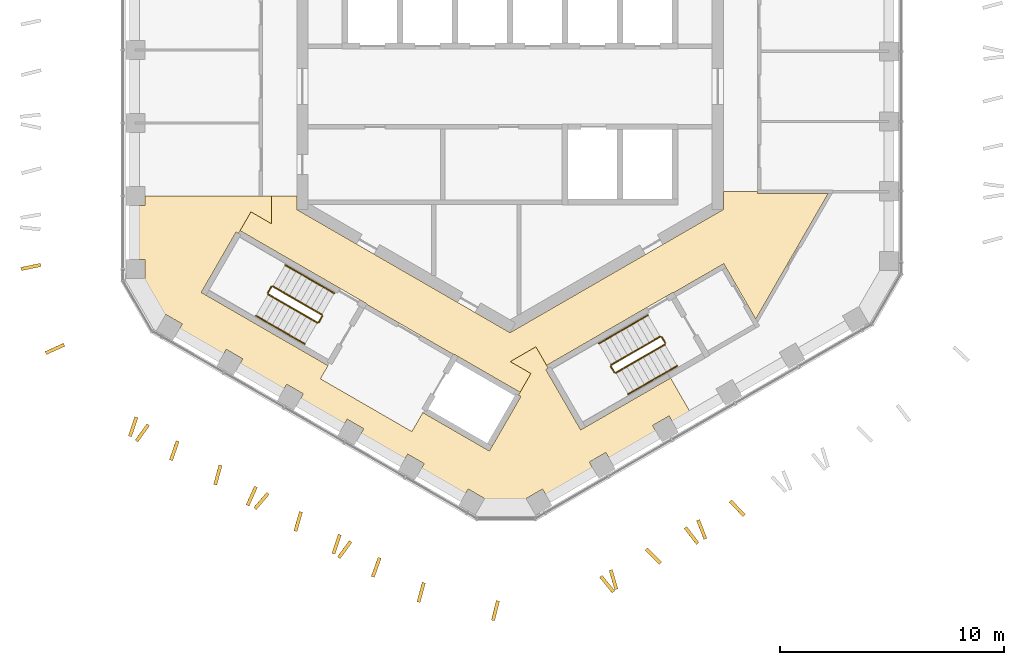
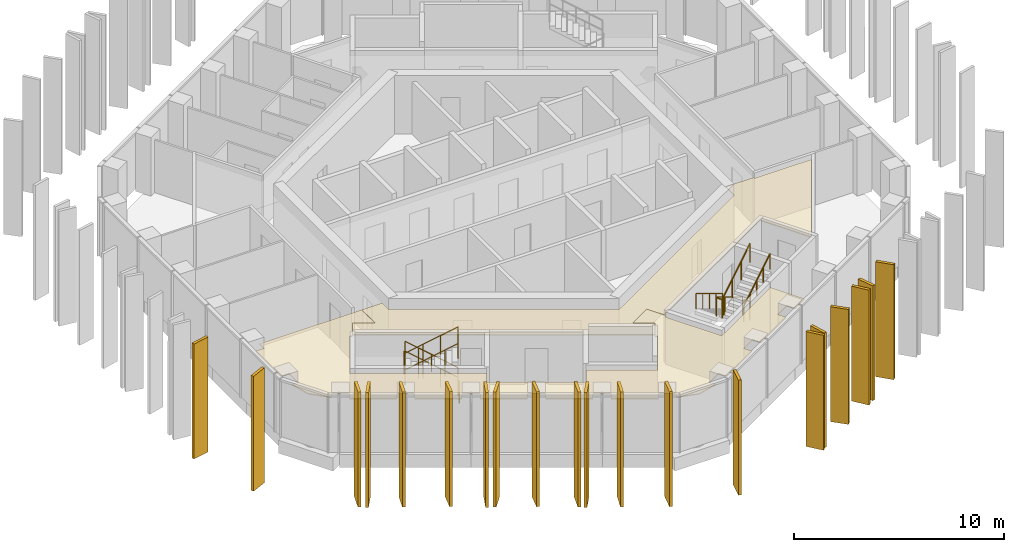
# One storey, part 16 of 18: 20 shading devices, 16 railings, 2 coverings.
"""IFC4 building model written with IfcOpenShell, lengths in metres."""

import ifcopenshell
import ifcopenshell.guid

model = None  # the IFC model being written
_history = None  # IfcOwnerHistory: only IFC2X3 demands one
_inside = {}  # id of a spatial element -> (the spatial element, [elements in it])
_under = {}  # id of a project, library or spatial element -> (it, [spatial elements below it])
_declared = {}  # id of a project -> (the project, [libraries it declares])
_typed = {}  # id of a type object -> (the type object, [elements of that type])
_made_of = {}  # id of a material, layer set ... -> (it, [elements and type objects made of it])


def new_model(schema):
    """Start an empty IFC model of exactly this schema.

    Asked for "IFC4X3", IfcOpenShell would pick the latest addendum, in which some entities
    have other attributes; the version numbers below select the first issue.
    IFC2X3 requires an IfcOwnerHistory on every rooted entity: one is made here for all.
    """
    global model, _history
    if schema == "IFC4X3":
        model = ifcopenshell.file(schema_version=(4, 3, 0, 0))
    else:
        model = ifcopenshell.file(schema=schema)
    _inside.clear()
    _under.clear()
    _declared.clear()
    _typed.clear()
    _made_of.clear()
    _history = None
    if model.schema == "IFC2X3":
        org = make("IfcOrganization", Name="unknown")
        user = make(
            "IfcPersonAndOrganization",
            ThePerson=make("IfcPerson", FamilyName="unknown"),
            TheOrganization=org,
        )
        app = make(
            "IfcApplication",
            ApplicationDeveloper=org,
            Version="unknown",
            ApplicationFullName="unknown",
            ApplicationIdentifier="unknown",
        )
        _history = make(
            "IfcOwnerHistory",
            OwningUser=user,
            OwningApplication=app,
            ChangeAction="ADDED",
            CreationDate=0,
        )
    return model


def make(cls, **values):
    """One entity of the class cls with the attributes given. An attribute that is None is left unset."""
    return model.create_entity(
        cls, **{name: value for name, value in values.items() if value is not None}
    )


def rooted(cls, **values):
    """An entity with a GlobalId (a new one), such as an element, a storey or a relation."""
    return make(cls, GlobalId=ifcopenshell.guid.new(), OwnerHistory=_history, **values)


def si_unit(unit_type, name, prefix=None):
    """IfcSIUnit, for example si_unit("LENGTHUNIT", "METRE", prefix="MILLI")."""
    return make("IfcSIUnit", UnitType=unit_type, Prefix=prefix, Name=name)


def assignment(units):
    """IfcUnitAssignment: the units of a project."""
    return None if units is None else make("IfcUnitAssignment", Units=units)


def point(xyz):
    """IfcCartesianPoint."""
    return None if xyz is None else make("IfcCartesianPoint", Coordinates=xyz)


def direction(xyz):
    """IfcDirection."""
    return None if xyz is None else make("IfcDirection", DirectionRatios=xyz)


def frame(location, z_axis=None, x_axis=None):
    """IfcAxis2Placement3D, a coordinate frame: its origin and axes. An axis left out is left unset."""
    return make(
        "IfcAxis2Placement3D",
        Location=point(location),
        Axis=direction(z_axis),
        RefDirection=direction(x_axis),
    )


def frame_2d(location, x_axis=None):
    """IfcAxis2Placement2D, a coordinate frame in the plane: its origin and x axis."""
    return make(
        "IfcAxis2Placement2D", Location=point(location), RefDirection=direction(x_axis)
    )


def origin():
    """The frame at (0, 0, 0) with its axes left unset."""
    return frame((0.0, 0.0, 0.0))


def origin_2d():
    """The frame at (0, 0) in the plane with its x axis left unset."""
    return frame_2d((0.0, 0.0))


def place(relative_to, where):
    """IfcLocalPlacement: puts the frame where relative to a parent placement (None: the world)."""
    return make(
        "IfcLocalPlacement", PlacementRelTo=relative_to, RelativePlacement=where
    )


def context(
    kind, dimensions, precision=None, world=None, true_north=None, identifier=None
):
    """IfcGeometricRepresentationContext, for example the 3D "Model" context."""
    return make(
        "IfcGeometricRepresentationContext",
        ContextIdentifier=identifier,
        ContextType=kind,
        CoordinateSpaceDimension=dimensions,
        Precision=precision,
        WorldCoordinateSystem=world,
        TrueNorth=true_north,
    )


def subcontext(parent, identifier, kind, view, scale=None):
    """IfcGeometricRepresentationSubContext, for example "Body" below "Model"."""
    return make(
        "IfcGeometricRepresentationSubContext",
        ContextIdentifier=identifier,
        ContextType=kind,
        ParentContext=parent,
        TargetScale=scale,
        TargetView=view,
    )


def project(units=None, contexts=None):
    """IfcProject with its units and contexts."""
    return rooted(
        "IfcProject",
        Name="project",
        RepresentationContexts=contexts,
        UnitsInContext=assignment(units),
    )


def spatial(cls, under=None, at=None, **own):
    """A site, building, storey or space (cls), placed at a placement, below another one or the project."""
    s = rooted(cls, ObjectPlacement=at, **own)
    if under is not None:
        _under.setdefault(under.id(), (under, []))[1].append(s)
    return s


def polyline(points):
    """IfcPolyline through the points."""
    return make("IfcPolyline", Points=[point(p) for p in points])


def profile(cls, at=None, kind="AREA", **sizes):
    """A parametric profile (cls). Its sizes go by their IFC names, for example OverallWidth=200.0."""
    return make(cls, ProfileType=kind, Position=at, **sizes)


def circle(**sizes):
    """IfcCircleProfileDef."""
    return profile("IfcCircleProfileDef", **sizes)


def outline(outer, holes=None, kind="AREA"):
    """IfcArbitraryClosedProfileDef: a profile drawn as a closed curve; with holes, ...WithVoids."""
    if holes is None:
        return make("IfcArbitraryClosedProfileDef", ProfileType=kind, OuterCurve=outer)
    return make(
        "IfcArbitraryProfileDefWithVoids",
        ProfileType=kind,
        OuterCurve=outer,
        InnerCurves=holes,
    )


def extrude(swept, where, along, depth):
    """IfcExtrudedAreaSolid: the profile swept, set in the frame where, extruded along a direction by depth."""
    return make(
        "IfcExtrudedAreaSolid",
        SweptArea=swept,
        Position=where,
        ExtrudedDirection=direction(along),
        Depth=depth,
    )


def shape(context_of_items, identifier, shape_type, items):
    """IfcShapeRepresentation: the items that make up one representation, for example the "Body"."""
    return make(
        "IfcShapeRepresentation",
        ContextOfItems=context_of_items,
        RepresentationIdentifier=identifier,
        RepresentationType=shape_type,
        Items=items,
    )


def material(Name=None, Category=None):
    """IfcMaterial."""
    return make("IfcMaterial", Name=Name, Category=Category)


def layer(
    of_material, thickness, ventilated=None, Name=None, Category=None, Priority=None
):
    """IfcMaterialLayer: one layer of a wall or slab, of a material (None: an air gap)."""
    return make(
        "IfcMaterialLayer",
        Material=of_material,
        LayerThickness=thickness,
        IsVentilated=ventilated,
        Name=Name,
        Category=Category,
        Priority=Priority,
    )


def layer_set(layers, Name=None):
    """IfcMaterialLayerSet."""
    return make("IfcMaterialLayerSet", MaterialLayers=layers, LayerSetName=Name)


def made_of(thing, what):
    """Note that an element or type object is made of a material, layer set ...; save() writes the relation."""
    if what is not None:
        _made_of.setdefault(what.id(), (what, []))[1].append(thing)
    return thing


def type_object(cls, material=None, **own):
    """A type object (cls), such as IfcWallType, which elements share."""
    return made_of(rooted(cls, **own), material)


def element(
    cls,
    number,
    at=None,
    inside=None,
    cuts=None,
    type_object=None,
    material=None,
    context=None,
    identifier="Body",
    shape_type=None,
    held_by="IfcProductDefinitionShape",
    body=None,
    shapes=None,
    **own,
):
    """One element of the class cls, such as IfcWall. Its Tag is "e" and its number.

    at: its placement. inside: the storey or other place that contains it. cuts: it is an
    opening in that element (IfcRelVoidsElement). A single representation is given by context,
    identifier, shape_type and body (its items); several are given by shapes. held_by: the class
    of the entity that holds the representations. save() writes the other relations.
    """
    e = rooted(cls, Tag="e%d" % number, ObjectPlacement=at, **own)
    if body is not None:
        shapes = [shape(context, identifier, shape_type, body)]
    if shapes is not None:
        e.Representation = make(held_by, Representations=shapes)
    if inside is not None:
        _inside.setdefault(inside.id(), (inside, []))[1].append(e)
    if cuts is not None:
        rooted(
            "IfcRelVoidsElement", RelatingBuildingElement=cuts, RelatedOpeningElement=e
        )
    if type_object is not None:
        _typed.setdefault(type_object.id(), (type_object, []))[1].append(e)
    return made_of(e, material)


def aggregate(whole, parts):
    """IfcRelAggregates: a whole, such as a stair, and the parts it consists of."""
    return rooted("IfcRelAggregates", RelatingObject=whole, RelatedObjects=parts)


def save(model, path):
    """Write the relations noted so far, then the file.

    IfcRelAggregates (storeys below a building ...), IfcRelContainedInSpatialStructure (elements
    in a storey), IfcRelDefinesByType, IfcRelAssociatesMaterial and IfcRelDeclares: one each for
    every whole, place, type object, material and project.
    """
    for whole, parts in _under.values():
        aggregate(whole, parts)
    for where, things in _inside.values():
        rooted(
            "IfcRelContainedInSpatialStructure",
            RelatedElements=things,
            RelatingStructure=where,
        )
    for kind, things in _typed.values():
        rooted("IfcRelDefinesByType", RelatedObjects=things, RelatingType=kind)
    for what, things in _made_of.values():
        rooted("IfcRelAssociatesMaterial", RelatedObjects=things, RelatingMaterial=what)
    for by, libraries in _declared.values():
        rooted("IfcRelDeclares", RelatingContext=by, RelatedDefinitions=libraries)
    model.write(path)


model = new_model("IFC4")

# Units and contexts
model_context = context("Model", 3, precision=1e-05, world=origin(), true_north=direction((0.0, 1.0)))
body_context = subcontext(model_context, "Body", "Model", "MODEL_VIEW")
ifc_project = project(units=[si_unit("LENGTHUNIT", "METRE"), si_unit("AREAUNIT", "SQUARE_METRE"), si_unit("VOLUMEUNIT", "CUBIC_METRE"), si_unit("PLANEANGLEUNIT", "RADIAN"), si_unit("MASSUNIT", "GRAM", prefix="KILO")], contexts=[model_context])

# Site, building, storey
site_placement = place(None, origin())
site = spatial("IfcSite", under=ifc_project, at=site_placement, CompositionType="ELEMENT")
building_placement = place(site_placement, origin())
building = spatial("IfcBuilding", under=site, at=building_placement, Name="Ayvan Gate Tower", CompositionType="ELEMENT")
storey_placement = place(building_placement, frame((0.0, 0.0, 229.10009765625)))
storey = spatial("IfcBuildingStorey", under=building, at=storey_placement, Name="L61", CompositionType="ELEMENT", Elevation=229.10009765625)

# Shading devices
ifc_material_1 = material(Name="Bronze anodised aluminium", Category="aluminium")
ifc_layer_1 = layer(ifc_material_1, 0.14990234375)
ifc_layer_set_1 = layer_set([ifc_layer_1], Name="Bronze anodised aluminium")
shading_device_type = type_object("IfcShadingDeviceType", Name="Bronze fin 900 x 150", PredefinedType="USERDEFINED", material=ifc_layer_set_1)
shading_device_1_placement = place(storey_placement, frame((-20.917724609375, -7.874755859375, 0.0), z_axis=(-0.206174537691, 0.978515207175, 0.000222114169), x_axis=(-0.978515231313, -0.206174542777, 0.0)))
element("IfcShadingDevice", 1, at=shading_device_1_placement, inside=storey, type_object=shading_device_type, Name="Bronze fin FG23.3.31", ObjectType="FIN", PredefinedType="USERDEFINED", context=body_context, shape_type="SweptSolid", body=[
    extrude(outline(polyline([(0.0, 0.0), (0.8999504618786536, 0.0), (0.9000135800489053, 6.679931805401232), (6.311817025169371e-05, 6.679931805401232), (0.0, 0.0)])), origin(), (0.0, 0.0, -1.0), 0.14990234375),
])
shading_device_2_placement = place(storey_placement, frame((-19.890625, -11.435546875, 0.0), z_axis=(-0.413700736551, 0.910412899584, 0.000229884831), x_axis=(-0.910412923641, -0.413700747483, 0.0)))
element("IfcShadingDevice", 2, at=shading_device_2_placement, inside=storey, type_object=shading_device_type, Name="Bronze fin FG23.4.32", ObjectType="FIN", PredefinedType="USERDEFINED", context=body_context, shape_type="SweptSolid", body=[
    extrude(outline(polyline([(0.0, 0.0), (0.8999607938598058, -1.3552527156068805e-20), (0.9001222632537548, 6.679931817132301), (0.0001614693939489985, 6.679931817132301), (0.0, 0.0)])), origin(), (0.0, 0.0, -1.0), 0.14990234375),
])
shading_device_3_placement = place(storey_placement, frame((-16.716796875, -14.7099609375, 0.0), z_axis=(-0.947838961973, 0.318749507819, 0.000231151376), x_axis=(-0.318749516334, -0.947838987295, 0.0)))
element("IfcShadingDevice", 3, at=shading_device_3_placement, inside=storey, type_object=shading_device_type, Name="Bronze fin FG23.5.33", ObjectType="FIN", PredefinedType="USERDEFINED", context=body_context, shape_type="SweptSolid", body=[
    extrude(outline(polyline([(0.0, 0.0), (0.8999707283452081, 0.0), (0.8999666221139057, 6.679931819082583), (-4.106231302510488e-06, 6.679931819082583), (0.0, 0.0)])), origin(), (0.0, 0.0, -1.0), 0.14990234375),
])
shading_device_4_placement = place(storey_placement, frame((-16.175537109375, -15.022705078125, 0.0), z_axis=(-0.812310532283, 0.583225127537, 0.000223048887), x_axis=(-0.583225142048, -0.812310552488, -1.7646e-08)))
element("IfcShadingDevice", 4, at=shading_device_4_placement, inside=storey, type_object=shading_device_type, Name="Bronze fin FG23.5.34", ObjectType="FIN", PredefinedType="USERDEFINED", context=body_context, shape_type="SweptSolid", body=[
    extrude(outline(polyline([(0.0, 0.0), (0.8999003538944763, 0.0), (0.8999815632893069, 6.679931822672281), (-0.00011710861114775841, 6.679931790909085), (0.0, 0.0)])), origin(), (0.0, 0.0, -1.0), 0.14990234375),
])
shading_device_5_placement = place(storey_placement, frame((-14.87744140625, -15.77490234375, 0.0), z_axis=(-0.943942876422, 0.330108758795, 0.000231127326), x_axis=(-0.330108767612, -0.943942901634, 0.0)))
element("IfcShadingDevice", 5, at=shading_device_5_placement, inside=storey, type_object=shading_device_type, Name="Bronze fin FG23.5.35", ObjectType="FIN", PredefinedType="USERDEFINED", context=body_context, shape_type="SweptSolid", body=[
    extrude(outline(polyline([(0.0, 0.0), (0.9000643720388166, 0.0), (0.9000417238936989, 6.679931819045451), (-2.2648145117674415e-05, 6.679931819045451), (0.0, 0.0)])), origin(), (0.0, 0.0, -1.0), 0.14990234375),
])
shading_device_6_placement = place(storey_placement, frame((-12.97021484375, -16.85595703125, 0.0), z_axis=(-0.964239178011, 0.265033528462, 0.000190736676), x_axis=(-0.265033533284, -0.96423919555, -6.858e-09)))
element("IfcShadingDevice", 6, at=shading_device_6_placement, inside=storey, type_object=shading_device_type, Name="Bronze fin FG23.5.37", ObjectType="FIN", PredefinedType="USERDEFINED", context=body_context, shape_type="SweptSolid", body=[
    extrude(outline(polyline([(0.0, 0.0), (0.8998642243660473, -6.776263578034403e-21), (0.9000114712155683, 6.679931768306423), (-8.816311033010862e-05, 6.679931755963105), (0.0, 0.0)])), origin(), (0.0, 0.0, -1.0), 0.14990234375),
])
shading_device_7_placement = place(storey_placement, frame((-11.387939453125, -17.8037109375, 0.0), z_axis=(-0.911962083747, 0.410274435356, 0.000213308736), x_axis=(-0.410274444695, -0.911962104492, -2.6382e-08)))
element("IfcShadingDevice", 7, at=shading_device_7_placement, inside=storey, type_object=shading_device_type, Name="Bronze fin FG23.5.39", ObjectType="FIN", PredefinedType="USERDEFINED", context=body_context, shape_type="SweptSolid", body=[
    extrude(outline(polyline([(0.0, 0.0), (0.9000883374333464, 0.0), (0.89993246724256, 6.679931816337676), (-5.5705531437019455e-05, 6.679931768847768), (0.0, 0.0)])), origin(), (0.0, 0.0, -1.0), 0.14990234375),
])
shading_device_8_placement = place(storey_placement, frame((-10.8369140625, -18.077392578125, 0.0), z_axis=(-0.760652689814, 0.64915901809, 0.000233905907), x_axis=(-0.649159035848, -0.760652710622, 0.0)))
element("IfcShadingDevice", 8, at=shading_device_8_placement, inside=storey, type_object=shading_device_type, Name="Bronze fin FG23.5.40", ObjectType="FIN", PredefinedType="USERDEFINED", context=body_context, shape_type="SweptSolid", body=[
    extrude(outline(polyline([(0.0, 0.0), (0.8999774837326424, -1.3552527156068805e-20), (0.8999278781816772, 6.6799318233611285), (-4.9605550965128234e-05, 6.6799318233611285), (0.0, 0.0)])), origin(), (0.0, 0.0, -1.0), 0.14990234375),
])
shading_device_9_placement = place(storey_placement, frame((-9.38671875, -18.927001953125, 0.0), z_axis=(-0.962652020351, 0.270741641908, 0.000225942933), x_axis=(-0.270741648817, -0.962652044924, 8.296e-09)))
element("IfcShadingDevice", 9, at=shading_device_9_placement, inside=storey, type_object=shading_device_type, Name="Bronze fin FG23.5.41", ObjectType="FIN", PredefinedType="USERDEFINED", context=body_context, shape_type="SweptSolid", body=[
    extrude(outline(polyline([(0.0, 0.0), (0.9000615900765888, -6.776263578034403e-21), (0.8999000737559955, 6.679931803664995), (7.350615131181286e-05, 6.679931818597654), (0.0, 0.0)])), origin(), (0.0, 0.0, -1.0), 0.14990234375),
])
shading_device_10_placement = place(storey_placement, frame((-7.655517578125, -19.9404296875, 0.0), z_axis=(-0.949197438425, 0.314681059895, 0.000231151886), x_axis=(-0.314681068302, -0.949197463783, 0.0)))
element("IfcShadingDevice", 10, at=shading_device_10_placement, inside=storey, type_object=shading_device_type, Name="Bronze fin FG23.5.43", ObjectType="FIN", PredefinedType="USERDEFINED", context=body_context, shape_type="SweptSolid", body=[
    extrude(outline(polyline([(0.0, 0.0), (0.8999687414569008, 0.0), (0.8999712581848682, 6.679931819083371), (2.5167279674604966e-06, 6.679931819083371), (0.0, 0.0)])), origin(), (0.0, 0.0, -1.0), 0.14990234375),
])
shading_device_11_placement = place(storey_placement, frame((-7.16015625, -20.225341796875, 0.0), z_axis=(-0.807137509538, 0.590363435548, 0.000233805098), x_axis=(-0.590363451684, -0.807137531599, 0.0)))
element("IfcShadingDevice", 11, at=shading_device_11_placement, inside=storey, type_object=shading_device_type, Name="Bronze fin FG23.5.44", ObjectType="FIN", PredefinedType="USERDEFINED", context=body_context, shape_type="SweptSolid", body=[
    extrude(outline(polyline([(0.0, 0.0), (0.89986939144811, 0.0), (0.8999369531834558, 6.679931823203653), (6.756173534590583e-05, 6.679931823203653), (0.0, 0.0)])), origin(), (0.0, 0.0, -1.0), 0.14990234375),
])
shading_device_12_placement = place(storey_placement, frame((-5.879150390625, -20.97216796875, 0.0), z_axis=(-0.940959979726, 0.33851774422, 0.000231087876), x_axis=(-0.338517753259, -0.940960004851, 0.0)))
element("IfcShadingDevice", 12, at=shading_device_12_placement, inside=storey, type_object=shading_device_type, Name="Bronze fin FG23.5.45", ObjectType="FIN", PredefinedType="USERDEFINED", context=body_context, shape_type="SweptSolid", body=[
    extrude(outline(polyline([(0.0, 0.0), (0.9000635773667073, 0.0), (0.900027154878951, 6.679931818984548), (-3.6422487756227156e-05, 6.679931818984548), (0.0, 0.0)])), origin(), (0.0, 0.0, -1.0), 0.14990234375),
])
shading_device_13_placement = place(storey_placement, frame((-3.91259765625, -22.0849609375, 0.0), z_axis=(-0.964569461589, 0.26382894147, 0.000208357715), x_axis=(-0.263828947192, -0.964569482527, 1.9808e-08)))
element("IfcShadingDevice", 13, at=shading_device_13_placement, inside=storey, type_object=shading_device_type, Name="Bronze fin FG23.5.47", ObjectType="FIN", PredefinedType="USERDEFINED", context=body_context, shape_type="SweptSolid", body=[
    extrude(outline(polyline([(0.0, 0.0), (0.8997769157852147, -6.776263578034403e-21), (0.8999259724740643, 6.679931767796941), (-0.00015084527153125325, 6.67993180344856), (0.0, 0.0)])), origin(), (0.0, 0.0, -1.0), 0.14990234375),
])
shading_device_14_placement = place(storey_placement, frame((-0.612060546875, -22.895751953125, 0.0), z_axis=(-0.970555920002, 0.240875812454, 0.00022163705), x_axis=(-0.240875818371, -0.970555943841, 0.0)))
element("IfcShadingDevice", 14, at=shading_device_14_placement, inside=storey, type_object=shading_device_type, Name="Bronze fin FG23.6.48", ObjectType="FIN", PredefinedType="USERDEFINED", context=body_context, shape_type="SweptSolid", body=[
    extrude(outline(polyline([(0.0, 0.0), (0.9000358627379677, 0.0), (0.8999199694356278, 6.679931804694088), (-0.00011589330233977736, 6.679931804694088), (0.0, 0.0)])), origin(), (0.0, 0.0, -1.0), 0.14990234375),
])
shading_device_15_placement = place(storey_placement, frame((3.98486328125, -21.864990234375, 0.0), z_axis=(-0.7786545074, -0.627452874563, 0.000219793019), x_axis=(0.627452889715, -0.778654526211, -2.321e-08)))
element("IfcShadingDevice", 15, at=shading_device_15_placement, inside=storey, type_object=shading_device_type, Name="Bronze fin FG23.7.49", ObjectType="FIN", PredefinedType="USERDEFINED", context=body_context, shape_type="SweptSolid", body=[
    extrude(outline(polyline([(0.0, 0.0), (0.900101484048219, 1.3552527156068805e-20), (0.9001068578987557, 6.679931822866903), (-0.00014781289011620369, 6.67993178108043), (0.0, 0.0)])), origin(), (0.0, 0.0, -1.0), 0.14990234375),
])
shading_device_16_placement = place(storey_placement, frame((4.409912109375, -21.55859375, 0.0), z_axis=(-0.958975787862, -0.283487892027, 0.000231016063), x_axis=(0.283487899592, -0.958975813452, 0.0)))
element("IfcShadingDevice", 16, at=shading_device_16_placement, inside=storey, type_object=shading_device_type, Name="Bronze fin FG23.7.50", ObjectType="FIN", PredefinedType="USERDEFINED", context=body_context, shape_type="SweptSolid", body=[
    extrude(outline(polyline([(0.0, 0.0), (0.8999571180724122, -6.776263578034403e-21), (0.899904133641418, 6.679931818873712), (-5.298443099427299e-05, 6.679931818873712), (0.0, 0.0)])), origin(), (0.0, 0.0, -1.0), 0.14990234375),
])
shading_device_17_placement = place(storey_placement, frame((6.018310546875, -20.661865234375, 0.0), z_axis=(-0.707445757673, -0.706767607982, 0.000219676779), x_axis=(0.706767625032, -0.707445774746, -2.108e-08)))
element("IfcShadingDevice", 17, at=shading_device_17_placement, inside=storey, type_object=shading_device_type, Name="Bronze fin FG23.7.51", ObjectType="FIN", PredefinedType="USERDEFINED", context=body_context, shape_type="SweptSolid", body=[
    extrude(outline(polyline([(0.0, 0.0), (0.8999385360710792, -2.710505431213761e-20), (0.9001102836909811, 6.679931820779196), (-8.030698031493404e-07, 6.679931782833807), (0.0, 0.0)])), origin(), (0.0, 0.0, -1.0), 0.14990234375),
])
shading_device_18_placement = place(storey_placement, frame((7.7529296875, -19.693115234375, 0.0), z_axis=(-0.792699590404, -0.609612430944, 0.000208354653), x_axis=(0.609612444183, -0.792699607605, 3.9626e-08)))
element("IfcShadingDevice", 18, at=shading_device_18_placement, inside=storey, type_object=shading_device_type, Name="Bronze fin FG23.7.53", ObjectType="FIN", PredefinedType="USERDEFINED", context=body_context, shape_type="SweptSolid", body=[
    extrude(outline(polyline([(0.0, 0.0), (0.9000676337757297, -1.3552527156068805e-20), (0.9000826325958554, 6.679931749951592), (-2.9700194381922376e-05, 6.679931821285941), (0.0, 0.0)])), origin(), (0.0, 0.0, -1.0), 0.14990234375),
])
shading_device_19_placement = place(storey_placement, frame((8.307373046875, -19.342529296875, 0.0), z_axis=(-0.933016598089, -0.359833265697, 0.000220429606), x_axis=(0.359833274447, -0.933016620753, 3.8656e-08)))
element("IfcShadingDevice", 19, at=shading_device_19_placement, inside=storey, type_object=shading_device_type, Name="Bronze fin FG23.7.54", ObjectType="FIN", PredefinedType="USERDEFINED", context=body_context, shape_type="SweptSolid", body=[
    extrude(outline(polyline([(0.0, 0.0), (0.8999372348534258, 0.0), (0.8999211681529781, 6.679931768124048), (-0.0001560040408543362, 6.679931837705237), (0.0, 0.0)])), origin(), (0.0, 0.0, -1.0), 0.14990234375),
])
shading_device_20_placement = place(storey_placement, frame((9.75537109375, -18.51318359375, 0.0), z_axis=(-0.72531430729, -0.688417824855, 0.000232513234), x_axis=(0.688417843471, -0.725314326889, 4.459e-08)))
element("IfcShadingDevice", 20, at=shading_device_20_placement, inside=storey, type_object=shading_device_type, Name="Bronze fin FG23.7.55", ObjectType="FIN", PredefinedType="USERDEFINED", context=body_context, shape_type="SweptSolid", body=[
    extrude(outline(polyline([(0.0, 0.0), (0.8998949420176352, 0.0), (0.8998592081506667, 6.679931781067279), (-4.474179749048321e-05, 6.679931861319497), (0.0, 0.0)])), origin(), (0.0, 0.0, -1.0), 0.14990234375),
])

# Coverings
ifc_material_2 = material(Name="Plasterboard suspended ceiling")
ifc_layer_2 = layer(ifc_material_2, 0.050048828125)
ifc_layer_set_2 = layer_set([ifc_layer_2], Name="Plasterboard suspended ceiling")
covering_type = type_object("IfcCoveringType", Name="CT-SUSP-50", PredefinedType="CEILING", material=ifc_layer_set_2)
covering_1_placement = place(storey_placement, frame((0.0, 0.0, 2.699951171875)))
element("IfcCovering", 21, at=covering_1_placement, inside=storey, type_object=covering_type, Name="Ceiling Gallery L61", PredefinedType="CEILING", context=body_context, shape_type="SweptSolid", body=[
    extrude(outline(polyline([(-4.66748046875, -8.27490234375), (0.0, -10.9697265625), (4.66748046875, -8.27490234375), (8.38720703125, -6.127197265625), (9.5, -5.48486328125), (9.5, -4.6875), (11.02490234375, -4.6875), (11.02490234375, -4.762451171875), (14.176025390625, -4.762451171875), (10.9453125, -10.358154296875), (9.623779296875, -8.069091796875), (9.52392578125, -7.89599609375), (7.2939453125, -9.183349609375), (7.281494140625, -9.16162109375), (1.630615234375, -12.42431640625), (1.153076171875, -11.59716796875), (0.010009765625, -12.257080078125), (0.930419921875, -12.78857421875), (0.447998046875, -13.624267578125), (-2.284423828125, -12.046630859375), (-2.518310546875, -11.91162109375), (-2.53076171875, -11.933349609375), (-6.384521484375, -9.70849609375), (-6.3720703125, -9.686767578125), (-12.02294921875, -6.42431640625), (-11.540283203125, -5.58837890625), (-10.6201171875, -6.119873046875), (-10.6201171875, -4.872314453125), (-9.5, -4.872314453125), (-9.5, -5.48486328125), (-4.66748046875, -8.27490234375)])), origin(), (0.0, 0.0, 1.0), 0.050048828125),
])
covering_2_placement = place(storey_placement, frame((0.0, 0.0, 2.699951171875)))
element("IfcCovering", 22, at=covering_2_placement, inside=storey, type_object=covering_type, Name="Ceiling Social Lounge L61", PredefinedType="CEILING", context=body_context, shape_type="SweptSolid", body=[
    extrude(outline(polyline([(-13.53955078125, -9.301513671875), (-8.106201171875, -12.438232421875), (-8.444091796875, -13.023681640625), (-4.3720703125, -15.374755859375), (-3.88427734375, -14.529541015625), (-0.9189453125, -16.24169921875), (-0.803955078125, -16.042236328125), (0.483642578125, -13.812255859375), (0.376220703125, -13.750244140625), (0.38671875, -13.732177734375), (0.931640625, -12.7880859375), (0.011962890625, -12.257080078125), (1.152587890625, -11.5986328125), (1.691650390625, -12.531982421875), (1.7021484375, -12.55029296875), (1.5947265625, -12.6123046875), (3.147216796875, -15.30126953125), (3.346435546875, -15.186279296875), (7.15185546875, -12.9892578125), (8.093994140625, -14.621337890625), (7.313232421875, -15.072021484375), (7.0859375, -14.67822265625), (6.349853515625, -15.103271484375), (6.5771484375, -15.4970703125), (4.494140625, -16.69970703125), (4.266845703125, -16.305908203125), (3.53076171875, -16.73095703125), (3.758056640625, -17.124755859375), (1.67529296875, -18.3271484375), (1.44775390625, -17.93359375), (0.711669921875, -18.3583984375), (0.8798828125, -18.649658203125), (-0.177978515625, -18.93310546875), (-1.287353515625, -18.635986328125), (-1.127197265625, -18.3583984375), (-1.86328125, -17.93359375), (-2.07568359375, -18.301513671875), (-4.0341796875, -17.1708984375), (-3.821533203125, -16.802978515625), (-4.5576171875, -16.3779296875), (-4.770263671875, -16.745849609375), (-6.728515625, -15.615234375), (-6.51611328125, -15.247314453125), (-7.252197265625, -14.822265625), (-7.464599609375, -15.190185546875), (-9.4228515625, -14.059814453125), (-9.21044921875, -13.691650390625), (-9.946533203125, -13.2666015625), (-10.158935546875, -13.634765625), (-12.1171875, -12.504150390625), (-11.90478515625, -12.135986328125), (-12.640869140625, -11.7109375), (-12.853515625, -12.0791015625), (-14.811767578125, -10.948486328125), (-14.59912109375, -10.580322265625), (-15.335205078125, -10.155517578125), (-15.49560546875, -10.432861328125), (-16.3076171875, -9.62060546875), (-16.591064453125, -8.56298828125), (-16.2548828125, -8.56298828125), (-16.2548828125, -7.712890625), (-16.70947265625, -7.712890625), (-16.70947265625, -5.3076171875), (-16.2548828125, -5.3076171875), (-16.2548828125, -4.873291015625), (-10.62109375, -4.873291015625), (-10.62109375, -6.1181640625), (-11.540771484375, -5.587158203125), (-12.09619140625, -6.54931640625), (-12.20361328125, -6.4873046875), (-13.756103515625, -9.17626953125), (-13.53955078125, -9.30126953125), (-13.53955078125, -9.301513671875)])), origin(), (0.0, 0.0, 1.0), 0.050048828125),
])

# Railings
ifc_material_3 = material(Name="Stainless steel balustrade", Category="steel")
railing_type_1 = type_object("IfcRailingType", Name="RL-GUARD-1100", PredefinedType="GUARDRAIL", material=ifc_material_3)
railing_1_placement = place(storey_placement, frame((-8.381103515625, -10.16650390625, 0.169921875)))
element("IfcRailing", 23, at=railing_1_placement, inside=storey, type_object=railing_type_1, Name="L61 STS2 stair guard 1", PredefinedType="GUARDRAIL", context=body_context, shape_type="SweptSolid", body=[
    extrude(circle(Radius=0.02392578125, at=origin_2d()), frame((0.0, 0.0, 1.076171875), z_axis=(-0.740261155115, 0.427395438142, 0.518986090067), x_axis=(-0.500004791531, -0.866022637375, 0.0)), (0.0, 0.0, 1.0), 2.947998046875),
    extrude(circle(Radius=0.02099609375, at=origin_2d()), origin(), (0.0, 0.0, 1.0), 1.052001953125),
    extrude(circle(Radius=0.02099609375, at=origin_2d()), frame((-0.7275390625, 0.419921875, 0.510009765625)), (0.0, 0.0, 1.0), 1.052001953125),
    extrude(circle(Radius=0.02099609375, at=origin_2d()), frame((-1.454833984375, 0.840087890625, 1.02001953125)), (0.0, 0.0, 1.0), 1.052001953125),
    extrude(circle(Radius=0.02099609375, at=origin_2d()), frame((-2.182373046875, 1.260009765625, 1.530029296875)), (0.0, 0.0, 1.0), 1.052001953125),
])
railing_2_placement = place(storey_placement, frame((-10.6318359375, -8.9248046875, 1.699951171875)))
element("IfcRailing", 24, at=railing_2_placement, inside=storey, type_object=railing_type_1, Name="L61 STS2 stair guard 2", PredefinedType="GUARDRAIL", context=body_context, shape_type="SweptSolid", body=[
    extrude(circle(Radius=0.02392578125, at=origin_2d()), frame((0.0, 0.0, 1.076171875), z_axis=(-0.499949632511, -0.866054481515, 0.0), x_axis=(0.866054481515, -0.499949632511, 0.0)), (0.0, 0.0, 1.0), 0.31005859375),
    extrude(circle(Radius=0.02099609375, at=origin_2d()), origin(), (0.0, 0.0, 1.0), 1.052001953125),
    extrude(circle(Radius=0.02099609375, at=origin_2d()), frame((-0.155029296875, -0.2685546875, 0.0)), (0.0, 0.0, 1.0), 1.052001953125),
])
railing_3_placement = place(storey_placement, frame((-10.7685546875, -9.261474609375, 1.869873046875)))
element("IfcRailing", 25, at=railing_3_placement, inside=storey, type_object=railing_type_1, Name="L61 STS2 stair guard 3", PredefinedType="GUARDRAIL", context=body_context, shape_type="SweptSolid", body=[
    extrude(circle(Radius=0.02392578125, at=origin_2d()), frame((0.0, 0.0, 1.076171875), z_axis=(0.740261155115, -0.427395438142, 0.518986090067), x_axis=(0.500004791531, 0.866022637375, 0.0)), (0.0, 0.0, 1.0), 2.947998046875),
    extrude(circle(Radius=0.02099609375, at=origin_2d()), origin(), (0.0, 0.0, 1.0), 1.052001953125),
    extrude(circle(Radius=0.02099609375, at=origin_2d()), frame((0.7275390625, -0.419921875, 0.510009765625)), (0.0, 0.0, 1.0), 1.052001953125),
    extrude(circle(Radius=0.02099609375, at=origin_2d()), frame((1.454833984375, -0.840087890625, 1.02001953125)), (0.0, 0.0, 1.0), 1.052001953125),
    extrude(circle(Radius=0.02099609375, at=origin_2d()), frame((2.182373046875, -1.260009765625, 1.530029296875)), (0.0, 0.0, 1.0), 1.052001953125),
])
railing_4_placement = place(storey_placement, frame((-8.36279296875, -10.23486328125, 0.0)))
element("IfcRailing", 26, at=railing_4_placement, inside=storey, type_object=railing_type_1, Name="L61 STS2 stair guard 4", PredefinedType="GUARDRAIL", context=body_context, shape_type="SweptSolid", body=[
    extrude(circle(Radius=0.02392578125, at=origin_2d()), frame((0.0, 0.0, 1.076171875), z_axis=(-0.500290723946, -0.86585748916, 0.0), x_axis=(0.86585748916, -0.500290723946, 0.0)), (0.0, 0.0, 1.0), 0.309814453125),
    extrude(circle(Radius=0.02099609375, at=origin_2d()), origin(), (0.0, 0.0, 1.0), 1.052001953125),
    extrude(circle(Radius=0.02099609375, at=origin_2d()), frame((-0.155029296875, -0.268310546875, 0.0)), (0.0, 0.0, 1.0), 1.052001953125),
])
railing_5_placement = place(storey_placement, frame((6.6923828125, -11.1416015625, 0.169921875)))
element("IfcRailing", 27, at=railing_5_placement, inside=storey, type_object=railing_type_1, Name="L61 STS3 stair guard 1", PredefinedType="GUARDRAIL", context=body_context, shape_type="SweptSolid", body=[
    extrude(circle(Radius=0.02392578125, at=origin_2d()), frame((0.0, 0.0, 1.076171875), z_axis=(-0.740261155115, -0.427395438142, 0.518986090067), x_axis=(0.500004791531, -0.866022637375, 0.0)), (0.0, 0.0, 1.0), 2.947998046875),
    extrude(circle(Radius=0.02099609375, at=origin_2d()), origin(), (0.0, 0.0, 1.0), 1.052001953125),
    extrude(circle(Radius=0.02099609375, at=origin_2d()), frame((-0.7275390625, -0.419921875, 0.510009765625)), (0.0, 0.0, 1.0), 1.052001953125),
    extrude(circle(Radius=0.02099609375, at=origin_2d()), frame((-1.454833984375, -0.840087890625, 1.02001953125)), (0.0, 0.0, 1.0), 1.052001953125),
    extrude(circle(Radius=0.02099609375, at=origin_2d()), frame((-2.182373046875, -1.260009765625, 1.530029296875)), (0.0, 0.0, 1.0), 1.052001953125),
])
railing_6_placement = place(storey_placement, frame((4.49169921875, -12.4697265625, 1.699951171875)))
element("IfcRailing", 28, at=railing_6_placement, inside=storey, type_object=railing_type_1, Name="L61 STS3 stair guard 2", PredefinedType="GUARDRAIL", context=body_context, shape_type="SweptSolid", body=[
    extrude(circle(Radius=0.02392578125, at=origin_2d()), frame((0.0, 0.0, 1.076171875), z_axis=(0.499949632511, -0.866054481515, 0.0), x_axis=(0.866054481515, 0.499949632511, 0.0)), (0.0, 0.0, 1.0), 0.31005859375),
    extrude(circle(Radius=0.02099609375, at=origin_2d()), origin(), (0.0, 0.0, 1.0), 1.052001953125),
    extrude(circle(Radius=0.02099609375, at=origin_2d()), frame((0.155029296875, -0.2685546875, 0.0)), (0.0, 0.0, 1.0), 1.052001953125),
])
railing_7_placement = place(storey_placement, frame((4.715087890625, -12.756591796875, 1.869873046875)))
element("IfcRailing", 29, at=railing_7_placement, inside=storey, type_object=railing_type_1, Name="L61 STS3 stair guard 3", PredefinedType="GUARDRAIL", context=body_context, shape_type="SweptSolid", body=[
    extrude(circle(Radius=0.02392578125, at=origin_2d()), frame((0.0, 0.0, 1.076171875), z_axis=(0.740261155115, 0.427395438142, 0.518986090067), x_axis=(-0.500004791531, 0.866022637375, 0.0)), (0.0, 0.0, 1.0), 2.947998046875),
    extrude(circle(Radius=0.02099609375, at=origin_2d()), origin(), (0.0, 0.0, 1.0), 1.052001953125),
    extrude(circle(Radius=0.02099609375, at=origin_2d()), frame((0.7275390625, 0.419921875, 0.510009765625)), (0.0, 0.0, 1.0), 1.052001953125),
    extrude(circle(Radius=0.02099609375, at=origin_2d()), frame((1.454833984375, 0.840087890625, 1.02001953125)), (0.0, 0.0, 1.0), 1.052001953125),
    extrude(circle(Radius=0.02099609375, at=origin_2d()), frame((2.182373046875, 1.260009765625, 1.530029296875)), (0.0, 0.0, 1.0), 1.052001953125),
])
railing_8_placement = place(storey_placement, frame((6.7607421875, -11.159912109375, 0.0)))
element("IfcRailing", 30, at=railing_8_placement, inside=storey, type_object=railing_type_1, Name="L61 STS3 stair guard 4", PredefinedType="GUARDRAIL", context=body_context, shape_type="SweptSolid", body=[
    extrude(circle(Radius=0.02392578125, at=origin_2d()), frame((0.0, 0.0, 1.076171875), z_axis=(0.500290723946, -0.86585748916, 0.0), x_axis=(0.86585748916, 0.500290723946, 0.0)), (0.0, 0.0, 1.0), 0.309814453125),
    extrude(circle(Radius=0.02099609375, at=origin_2d()), origin(), (0.0, 0.0, 1.0), 1.052001953125),
    extrude(circle(Radius=0.02099609375, at=origin_2d()), frame((0.155029296875, -0.268310546875, 0.0)), (0.0, 0.0, 1.0), 1.052001953125),
])
railing_type_2 = type_object("IfcRailingType", Name="RL-HANDRAIL-900", PredefinedType="HANDRAIL", material=ifc_material_3)
railing_9_placement = place(storey_placement, frame((-7.8310546875, -9.2138671875, 0.169921875)))
element("IfcRailing", 31, at=railing_9_placement, inside=storey, type_object=railing_type_2, Name="L61 STS2 stair handrail 1", PredefinedType="HANDRAIL", context=body_context, shape_type="SweptSolid", body=[
    extrude(circle(Radius=0.02392578125, at=origin_2d()), frame((0.0, 0.0, 0.8759765625), z_axis=(-0.740356597536, 0.427319915356, 0.518912129772), x_axis=(-0.499890179513, -0.866088799389, 0.0)), (0.0, 0.0, 1.0), 1.47412109375),
    extrude(circle(Radius=0.02099609375, at=origin_2d()), origin(), (0.0, 0.0, 1.0), 0.851806640625),
    extrude(circle(Radius=0.02099609375, at=origin_2d()), frame((-0.545654296875, 0.31494140625, 0.38232421875)), (0.0, 0.0, 1.0), 0.851806640625),
    extrude(circle(Radius=0.02099609375, at=origin_2d()), frame((-1.09130859375, 0.6298828125, 0.764892578125)), (0.0, 0.0, 1.0), 0.851806640625),
])
railing_10_placement = place(storey_placement, frame((-8.92236328125, -8.583984375, 0.934814453125)))
element("IfcRailing", 32, at=railing_10_placement, inside=storey, type_object=railing_type_2, Name="L61 STS2 stair handrail 2", PredefinedType="HANDRAIL", context=body_context, shape_type="SweptSolid", body=[
    extrude(circle(Radius=0.02392578125, at=origin_2d()), frame((0.0, 0.0, 0.8759765625), z_axis=(-0.740165700939, 0.427470949681, 0.519060037311), x_axis=(-0.50011940292, -0.865956455501, 0.0)), (0.0, 0.0, 1.0), 1.47412109375),
    extrude(circle(Radius=0.02099609375, at=origin_2d()), origin(), (0.0, 0.0, 1.0), 0.851806640625),
    extrude(circle(Radius=0.02099609375, at=origin_2d()), frame((-0.54541015625, 0.31494140625, 0.382568359375)), (0.0, 0.0, 1.0), 0.851806640625),
    extrude(circle(Radius=0.02099609375, at=origin_2d()), frame((-1.091064453125, 0.630126953125, 0.76513671875)), (0.0, 0.0, 1.0), 0.851806640625),
])
railing_11_placement = place(storey_placement, frame((-11.318603515625, -10.214111328125, 1.869873046875)))
element("IfcRailing", 33, at=railing_11_placement, inside=storey, type_object=railing_type_2, Name="L61 STS2 stair handrail 3", PredefinedType="HANDRAIL", context=body_context, shape_type="SweptSolid", body=[
    extrude(circle(Radius=0.02392578125, at=origin_2d()), frame((0.0, 0.0, 0.8759765625), z_axis=(0.740240574041, -0.427418550694, 0.518996411419), x_axis=(0.500035496587, 0.86600490885, 0.0)), (0.0, 0.0, 1.0), 1.474365234375),
    extrude(circle(Radius=0.02099609375, at=origin_2d()), origin(), (0.0, 0.0, 1.0), 0.851806640625),
    extrude(circle(Radius=0.02099609375, at=origin_2d()), frame((0.545654296875, -0.31494140625, 0.382568359375)), (0.0, 0.0, 1.0), 0.851806640625),
    extrude(circle(Radius=0.02099609375, at=origin_2d()), frame((1.09130859375, -0.630126953125, 0.76513671875)), (0.0, 0.0, 1.0), 0.851806640625),
])
railing_12_placement = place(storey_placement, frame((-10.227294921875, -10.84423828125, 2.635009765625)))
element("IfcRailing", 34, at=railing_12_placement, inside=storey, type_object=railing_type_2, Name="L61 STS2 stair handrail 4", PredefinedType="HANDRAIL", context=body_context, shape_type="SweptSolid", body=[
    extrude(circle(Radius=0.02392578125, at=origin_2d()), frame((0.0, 0.0, 0.8759765625), z_axis=(0.740356597536, -0.427319915356, 0.518912129772), x_axis=(0.499890179513, 0.866088799389, 0.0)), (0.0, 0.0, 1.0), 1.47412109375),
    extrude(circle(Radius=0.02099609375, at=origin_2d()), origin(), (0.0, 0.0, 1.0), 0.851806640625),
    extrude(circle(Radius=0.02099609375, at=origin_2d()), frame((0.545654296875, -0.31494140625, 0.38232421875)), (0.0, 0.0, 1.0), 0.851806640625),
    extrude(circle(Radius=0.02099609375, at=origin_2d()), frame((1.09130859375, -0.6298828125, 0.764892578125)), (0.0, 0.0, 1.0), 0.851806640625),
])
railing_13_placement = place(storey_placement, frame((6.142333984375, -10.18896484375, 0.169921875)))
element("IfcRailing", 35, at=railing_13_placement, inside=storey, type_object=railing_type_2, Name="L61 STS3 stair handrail 1", PredefinedType="HANDRAIL", context=body_context, shape_type="SweptSolid", body=[
    extrude(circle(Radius=0.02392578125, at=origin_2d()), frame((0.0, 0.0, 0.8759765625), z_axis=(-0.740281741151, -0.427372318678, 0.518975765278), x_axis=(0.499974077718, -0.866040369504, 0.0)), (0.0, 0.0, 1.0), 1.473876953125),
    extrude(circle(Radius=0.02099609375, at=origin_2d()), origin(), (0.0, 0.0, 1.0), 0.851806640625),
    extrude(circle(Radius=0.02099609375, at=origin_2d()), frame((-0.54541015625, -0.31494140625, 0.38232421875)), (0.0, 0.0, 1.0), 0.851806640625),
    extrude(circle(Radius=0.02099609375, at=origin_2d()), frame((-1.091064453125, -0.6298828125, 0.764892578125)), (0.0, 0.0, 1.0), 0.851806640625),
])
railing_14_placement = place(storey_placement, frame((5.05126953125, -10.81884765625, 0.934814453125)))
element("IfcRailing", 36, at=railing_14_placement, inside=storey, type_object=railing_type_2, Name="L61 STS3 stair handrail 2", PredefinedType="HANDRAIL", context=body_context, shape_type="SweptSolid", body=[
    extrude(circle(Radius=0.02392578125, at=origin_2d()), frame((0.0, 0.0, 0.8759765625), z_axis=(-0.740240574041, -0.427418550694, 0.518996411419), x_axis=(0.500035496587, -0.86600490885, 0.0)), (0.0, 0.0, 1.0), 1.474365234375),
    extrude(circle(Radius=0.02099609375, at=origin_2d()), origin(), (0.0, 0.0, 1.0), 0.851806640625),
    extrude(circle(Radius=0.02099609375, at=origin_2d()), frame((-0.545654296875, -0.31494140625, 0.382568359375)), (0.0, 0.0, 1.0), 0.851806640625),
    extrude(circle(Radius=0.02099609375, at=origin_2d()), frame((-1.09130859375, -0.630126953125, 0.76513671875)), (0.0, 0.0, 1.0), 0.851806640625),
])
railing_15_placement = place(storey_placement, frame((5.264892578125, -13.709228515625, 1.869873046875)))
element("IfcRailing", 37, at=railing_15_placement, inside=storey, type_object=railing_type_2, Name="L61 STS3 stair handrail 3", PredefinedType="HANDRAIL", context=body_context, shape_type="SweptSolid", body=[
    extrude(circle(Radius=0.02392578125, at=origin_2d()), frame((0.0, 0.0, 0.8759765625), z_axis=(0.740240574041, 0.427418550694, 0.518996411419), x_axis=(-0.500035496587, 0.86600490885, 0.0)), (0.0, 0.0, 1.0), 1.474365234375),
    extrude(circle(Radius=0.02099609375, at=origin_2d()), origin(), (0.0, 0.0, 1.0), 0.851806640625),
    extrude(circle(Radius=0.02099609375, at=origin_2d()), frame((0.545654296875, 0.31494140625, 0.382568359375)), (0.0, 0.0, 1.0), 0.851806640625),
    extrude(circle(Radius=0.02099609375, at=origin_2d()), frame((1.09130859375, 0.630126953125, 0.76513671875)), (0.0, 0.0, 1.0), 0.851806640625),
])
railing_16_placement = place(storey_placement, frame((6.356201171875, -13.0791015625, 2.635009765625)))
element("IfcRailing", 38, at=railing_16_placement, inside=storey, type_object=railing_type_2, Name="L61 STS3 stair handrail 4", PredefinedType="HANDRAIL", context=body_context, shape_type="SweptSolid", body=[
    extrude(circle(Radius=0.02392578125, at=origin_2d()), frame((0.0, 0.0, 0.8759765625), z_axis=(0.740281741151, 0.427372318678, 0.518975765278), x_axis=(-0.499974077718, 0.866040369504, 0.0)), (0.0, 0.0, 1.0), 1.473876953125),
    extrude(circle(Radius=0.02099609375, at=origin_2d()), origin(), (0.0, 0.0, 1.0), 0.851806640625),
    extrude(circle(Radius=0.02099609375, at=origin_2d()), frame((0.54541015625, 0.31494140625, 0.38232421875)), (0.0, 0.0, 1.0), 0.851806640625),
    extrude(circle(Radius=0.02099609375, at=origin_2d()), frame((1.091064453125, 0.6298828125, 0.764892578125)), (0.0, 0.0, 1.0), 0.851806640625),
])

save(model, "model.ifc")
